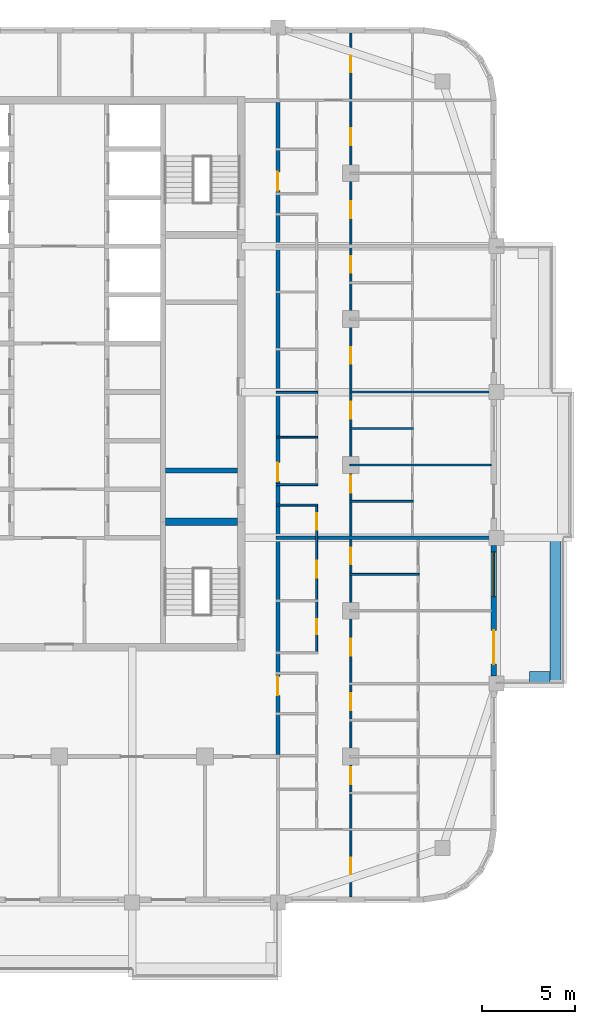
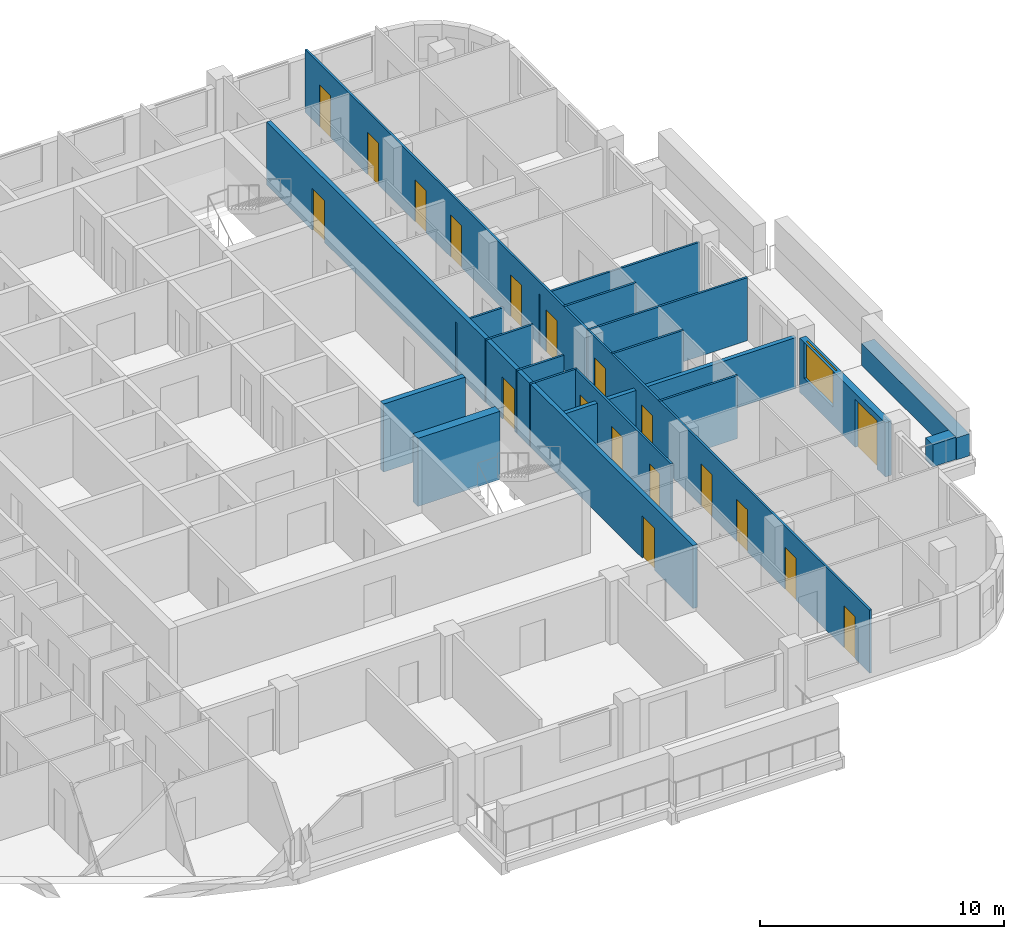
# One storey, part 7 of 16: 19 doors, 18 walls, 1 window, 20 openings.
"""IFC4 building model written with IfcOpenShell, lengths in metres."""

from ifc_helpers import new_model, si_unit, direction, frame, frame_2d, origin, place, context, subcontext, project, spatial, rectangle, extrude, material, layer, layer_set, type_object, element, fill, save


model = new_model("IFC4")

# Units and contexts
model_context = context("Model", 3, precision=1e-05, world=origin(), true_north=direction((0.0, 1.0)))
body_context = subcontext(model_context, "Body", "Model", "MODEL_VIEW")
ifc_project = project(units=[si_unit("LENGTHUNIT", "METRE"), si_unit("AREAUNIT", "SQUARE_METRE"), si_unit("VOLUMEUNIT", "CUBIC_METRE"), si_unit("PLANEANGLEUNIT", "RADIAN"), si_unit("MASSUNIT", "GRAM", prefix="KILO")], contexts=[model_context])

# Site, building, storey
site_placement = place(None, origin())
site = spatial("IfcSite", under=ifc_project, at=site_placement, CompositionType="ELEMENT")
building_placement = place(site_placement, origin())
building = spatial("IfcBuilding", under=site, at=building_placement, Name="Ludao Terraces", CompositionType="ELEMENT")
storey_placement = place(building_placement, frame((0.0, 0.0, 234.699951171875)))
storey = spatial("IfcBuildingStorey", under=building, at=storey_placement, Name="L64", CompositionType="ELEMENT", Elevation=234.699951171875)

# Walls
ifc_material_1 = material(Name="Concrete C40", Category="concrete")
ifc_layer_1 = layer(ifc_material_1, 0.60009765625)
ifc_layer_set_1 = layer_set([ifc_layer_1], Name="ENV Planter trough 600")
wall_type_1 = type_object("IfcWallType", Name="ENV Planter trough 600", PredefinedType="USERDEFINED", material=ifc_layer_set_1)
wall_1_placement = place(storey_placement, frame((111.550048828125, 53.300048828125, 0.0), z_axis=(0.0, 0.0, 1.0), x_axis=(0.0, 1.0, 0.0)))
element("IfcWall", 1, at=wall_1_placement, inside=storey, type_object=wall_type_1, Name="PL-L64-E1", ObjectType="PLANTER", PredefinedType="USERDEFINED", context=body_context, shape_type="SweptSolid", body=[
    extrude(rectangle(XDim=7.800048828125, YDim=0.60009765625, at=frame_2d((3.89990234375, 0.0))), origin(), (0.0, 0.0, 1.0), 1.10009765625),
])
wall_2_placement = place(storey_placement, frame((111.25, 53.64990234375, 0.0), z_axis=(0.0, 0.0, 1.0), x_axis=(-1.0, 0.0, 0.0)))
element("IfcWall", 2, at=wall_2_placement, inside=storey, type_object=wall_type_1, Name="PL-L64-E1-SA", ObjectType="PLANTER", PredefinedType="USERDEFINED", context=body_context, shape_type="SweptSolid", body=[
    extrude(rectangle(XDim=1.10009765625, YDim=0.60009765625, at=frame_2d((0.550048828125, 0.0))), origin(), (0.0, 0.0, 1.0), 1.10009765625),
])

# Wall, openings, door, window
ifc_material_2 = material(Name="Granite cladding", Category="masonry")
ifc_layer_2 = layer(ifc_material_2, 0.0400390625, Category="stone")
ifc_material_3 = material(Name="Mineral wool")
ifc_layer_3 = layer(ifc_material_3, 0.06005859375)
ifc_layer_4 = layer(ifc_material_1, 0.199951171875, Category="concrete")
ifc_layer_set_2 = layer_set([ifc_layer_2, ifc_layer_3, ifc_layer_4], Name="ENV Stone-clad wall 300")
wall_type_2 = type_object("IfcWallType", Name="ENV Stone-clad wall 300", PredefinedType="SOLIDWALL", material=ifc_layer_set_2)
wall_3_placement = place(storey_placement, frame((108.25, 53.699951171875, 0.0), z_axis=(0.0, 0.0, 1.0), x_axis=(0.0, 1.0, 0.0)))
wall_3 = element("IfcWall", 3, at=wall_3_placement, inside=storey, type_object=wall_type_2, Name="EW-L64-E2", PredefinedType="SOLIDWALL", context=body_context, shape_type="SweptSolid", body=[
    extrude(rectangle(XDim=7.0, YDim=0.300048828125, at=frame_2d((3.5, 0.0))), origin(), (0.0, 0.0, 1.0), 2.699951171875),
])
opening_1_placement = place(wall_3_placement, frame((0.64990234375, 0.0, 0.0)))
opening_1 = element("IfcOpeningElement", 4, at=opening_1_placement, cuts=wall_3, Name="Opening BD", PredefinedType="OPENING", context=body_context, shape_type="SweptSolid", body=[
    extrude(rectangle(XDim=1.800048828125, YDim=2.39990234375, at=frame_2d((0.89990234375, 1.199951171875))), frame((0.0, 0.16015625, 0.0), z_axis=(0.0, -1.0, 0.0), x_axis=(1.0, 0.0, 0.0)), (0.0, 0.0, 1.0), 0.320068359375),
])
opening_2_placement = place(wall_3_placement, frame((4.25, 0.0, 0.89990234375)))
opening_2 = element("IfcOpeningElement", 5, at=opening_2_placement, cuts=wall_3, Name="Opening W1", PredefinedType="OPENING", context=body_context, shape_type="SweptSolid", body=[
    extrude(rectangle(XDim=2.39990234375, YDim=1.800048828125, at=frame_2d((1.199951171875, 0.89990234375))), frame((0.0, 0.16015625, 0.0), z_axis=(0.0, -1.0, 0.0), x_axis=(1.0, 0.0, 0.0)), (0.0, 0.0, 1.0), 0.320068359375),
])
ifc_material_4 = material(Name="Aluminium glazed door", Category="aluminium")
ifc_layer_5 = layer(ifc_material_4, 0.06005859375)
ifc_layer_set_3 = layer_set([ifc_layer_5], Name="ENV Balcony door BD 1800x2400")
door_type_1 = type_object("IfcDoorType", Name="ENV Balcony door BD 1800x2400", OperationType="DOUBLE_DOOR_SINGLE_SWING", PredefinedType="DOOR", material=ifc_layer_set_3)
door_1_placement = place(opening_1_placement, origin())
door_1 = element("IfcDoor", 6, at=door_1_placement, inside=storey, type_object=door_type_1, Name="BD-L64-E2-1", OperationType="DOUBLE_DOOR_SINGLE_SWING", OverallHeight=2.39990234375, OverallWidth=1.800048828125, PredefinedType="DOOR", context=body_context, shape_type="SweptSolid", body=[
    extrude(rectangle(XDim=1.800048828125, YDim=2.39990234375, at=frame_2d((0.89990234375, 1.199951171875))), frame((0.0, 0.02490234375, 0.0), z_axis=(0.0, -1.0, 0.0), x_axis=(1.0, 0.0, 0.0)), (0.0, 0.0, 1.0), 0.050048828125),
])
fill(opening_1, door_1)
ifc_material_5 = material(Name="Clear glass in aluminium frame", Category="aluminium")
ifc_layer_6 = layer(ifc_material_5, 0.06005859375)
ifc_layer_set_4 = layer_set([ifc_layer_6], Name="ENV Window W1 2400x1800")
window_type = type_object("IfcWindowType", Name="ENV Window W1 2400x1800", PartitioningType="DOUBLE_PANEL_VERTICAL", PredefinedType="WINDOW", material=ifc_layer_set_4)
window_placement = place(opening_2_placement, origin())
window = element("IfcWindow", 7, at=window_placement, inside=storey, type_object=window_type, Name="W-L64-E2-2", OverallHeight=1.800048828125, OverallWidth=2.39990234375, PartitioningType="DOUBLE_PANEL_VERTICAL", PredefinedType="WINDOW", context=body_context, shape_type="SweptSolid", body=[
    extrude(rectangle(XDim=2.39990234375, YDim=1.800048828125, at=frame_2d((1.199951171875, 0.89990234375))), frame((0.0, 0.030029296875, 0.0), z_axis=(0.0, -1.0, 0.0), x_axis=(1.0, 0.0, 0.0)), (0.0, 0.0, 1.0), 0.06005859375),
])
fill(opening_2, window)

# Wall, openings, doors
ifc_material_6 = material(Name="Autoclaved aerated concrete block B06 A3.5", Category="concrete")
ifc_layer_7 = layer(ifc_material_6, 0.199951171875)
ifc_layer_set_5 = layer_set([ifc_layer_7], Name="INT Entrance wall 200")
wall_type_3 = type_object("IfcWallType", Name="INT Entrance wall 200", PredefinedType="PARTITIONING", material=ifc_layer_set_5)
wall_4_placement = place(storey_placement, frame((96.699951171875, 49.5, 0.0), z_axis=(0.0, 0.0, 1.0), x_axis=(0.0, 1.0, 0.0)))
wall_4 = element("IfcWall", 8, at=wall_4_placement, inside=storey, type_object=wall_type_3, Name="PW-L64-PW093", PredefinedType="PARTITIONING", context=body_context, shape_type="SweptSolid", body=[
    extrude(rectangle(XDim=34.900146484375, YDim=0.199951171875, at=frame_2d((17.4501953125, 0.0))), origin(), (0.0, 0.0, 1.0), 3.150146484375),
])
opening_3_placement = place(wall_4_placement, frame((3.175048828125, 0.0, 0.0)))
opening_3 = element("IfcOpeningElement", 9, at=opening_3_placement, cuts=wall_4, Name="Opening R23-031", PredefinedType="OPENING", context=body_context, shape_type="SweptSolid", body=[
    extrude(rectangle(XDim=1.0, YDim=2.10009765625, at=frame_2d((0.5, 1.050048828125))), frame((0.0, 0.10986328125, 0.0), z_axis=(0.0, -1.0, 0.0), x_axis=(1.0, 0.0, 0.0)), (0.0, 0.0, 1.0), 0.219970703125),
])
opening_4_placement = place(wall_4_placement, frame((14.625, 0.0, 0.0)))
opening_4 = element("IfcOpeningElement", 10, at=opening_4_placement, cuts=wall_4, Name="Opening R23-066", PredefinedType="OPENING", context=body_context, shape_type="SweptSolid", body=[
    extrude(rectangle(XDim=1.0, YDim=2.10009765625, at=frame_2d((0.5, 1.050048828125))), frame((0.0, 0.10986328125, 0.0), z_axis=(0.0, -1.0, 0.0), x_axis=(1.0, 0.0, 0.0)), (0.0, 0.0, 1.0), 0.219970703125),
])
opening_5_placement = place(wall_4_placement, frame((30.175048828125, 0.0, 0.0)))
opening_5 = element("IfcOpeningElement", 11, at=opening_5_placement, cuts=wall_4, Name="Opening R23-119", PredefinedType="OPENING", context=body_context, shape_type="SweptSolid", body=[
    extrude(rectangle(XDim=1.0, YDim=2.10009765625, at=frame_2d((0.5, 1.050048828125))), frame((0.0, 0.10986328125, 0.0), z_axis=(0.0, -1.0, 0.0), x_axis=(1.0, 0.0, 0.0)), (0.0, 0.0, 1.0), 0.219970703125),
])
ifc_material_7 = material(Name="Steel Q235", Category="steel")
door_type_2 = type_object("IfcDoorType", Name="INT Flat entrance door 1000", OperationType="SINGLE_SWING_LEFT", PredefinedType="DOOR", material=ifc_material_7)
door_2_placement = place(opening_3_placement, origin())
door_2 = element("IfcDoor", 12, at=door_2_placement, inside=storey, type_object=door_type_2, Name="DOOR 031", OperationType="SINGLE_SWING_RIGHT", OverallHeight=2.10009765625, OverallWidth=1.0, PredefinedType="DOOR", context=body_context, shape_type="SweptSolid", body=[
    extrude(rectangle(XDim=1.0, YDim=2.10009765625, at=frame_2d((0.5, 1.050048828125))), frame((0.0, 0.02490234375, 0.0), z_axis=(0.0, -1.0, 0.0), x_axis=(1.0, 0.0, 0.0)), (0.0, 0.0, 1.0), 0.050048828125),
])
fill(opening_3, door_2)
door_3_placement = place(opening_4_placement, origin())
door_3 = element("IfcDoor", 13, at=door_3_placement, inside=storey, type_object=door_type_2, Name="DOOR 066", OperationType="SINGLE_SWING_LEFT", OverallHeight=2.10009765625, OverallWidth=1.0, PredefinedType="DOOR", context=body_context, shape_type="SweptSolid", body=[
    extrude(rectangle(XDim=1.0, YDim=2.10009765625, at=frame_2d((0.5, 1.050048828125))), frame((0.0, 0.02490234375, 0.0), z_axis=(0.0, -1.0, 0.0), x_axis=(1.0, 0.0, 0.0)), (0.0, 0.0, 1.0), 0.050048828125),
])
fill(opening_4, door_3)
door_4_placement = place(opening_5_placement, origin())
door_4 = element("IfcDoor", 14, at=door_4_placement, inside=storey, type_object=door_type_2, Name="DOOR 119", OperationType="SINGLE_SWING_LEFT", OverallHeight=2.10009765625, OverallWidth=1.0, PredefinedType="DOOR", context=body_context, shape_type="SweptSolid", body=[
    extrude(rectangle(XDim=1.0, YDim=2.10009765625, at=frame_2d((0.5, 1.050048828125))), frame((0.0, 0.02490234375, 0.0), z_axis=(0.0, -1.0, 0.0), x_axis=(1.0, 0.0, 0.0)), (0.0, 0.0, 1.0), 0.050048828125),
])
fill(opening_5, door_4)

# Walls
ifc_material_8 = material(Name="Gypsum plasterboard", Category="gypsum")
ifc_layer_8 = layer(ifc_material_8, 0.012451171875, Category="gypsum")
ifc_layer_9 = layer(ifc_material_3, 0.06005859375, Name="insulation")
ifc_layer_10 = layer(ifc_material_7, 0.014892578125, Name="stud")
ifc_layer_11 = layer(ifc_material_8, 0.012451171875, Category="gypsum")
ifc_layer_set_6 = layer_set([ifc_layer_8, ifc_layer_9, ifc_layer_10, ifc_layer_11], Name="INT Partition 100")
wall_type_4 = type_object("IfcWallType", Name="INT Partition 100", PredefinedType="PARTITIONING", material=ifc_layer_set_6)
wall_5_placement = place(storey_placement, frame((100.550048828125, 59.14990234375, 0.0), z_axis=(0.0, 0.0, 1.0), x_axis=(1.0, 0.0, 0.0)))
element("IfcWall", 15, at=wall_5_placement, inside=storey, type_object=wall_type_4, Name="PW-L64-PW026", PredefinedType="PARTITIONING", context=body_context, shape_type="SweptSolid", body=[
    extrude(rectangle(XDim=3.699951171875, YDim=0.10009765625, at=frame_2d((1.85009765625, 0.0))), origin(), (0.0, 0.0, 1.0), 3.150146484375),
])
wall_6_placement = place(storey_placement, frame((96.60009765625, 62.85009765625, 0.0), z_axis=(0.0, 0.0, 1.0), x_axis=(1.0, 0.0, 0.0)))
element("IfcWall", 16, at=wall_6_placement, inside=storey, type_object=wall_type_4, Name="PW-L64-PW031", PredefinedType="PARTITIONING", context=body_context, shape_type="SweptSolid", body=[
    extrude(rectangle(XDim=2.219970703125, YDim=0.10009765625, at=frame_2d((1.10986328125, 0.0))), origin(), (0.0, 0.0, 1.0), 3.150146484375),
])
wall_7_placement = place(storey_placement, frame((100.550048828125, 63.050048828125, 0.0), z_axis=(0.0, 0.0, 1.0), x_axis=(1.0, 0.0, 0.0)))
element("IfcWall", 17, at=wall_7_placement, inside=storey, type_object=wall_type_4, Name="PW-L64-PW033", PredefinedType="PARTITIONING", context=body_context, shape_type="SweptSolid", body=[
    extrude(rectangle(XDim=3.400146484375, YDim=0.10009765625, at=frame_2d((1.7001953125, 0.0))), origin(), (0.0, 0.0, 1.0), 3.150146484375),
])
wall_8_placement = place(storey_placement, frame((96.60009765625, 63.949951171875, 0.0), z_axis=(0.0, 0.0, 1.0), x_axis=(1.0, 0.0, 0.0)))
element("IfcWall", 18, at=wall_8_placement, inside=storey, type_object=wall_type_4, Name="PW-L64-PW036", PredefinedType="PARTITIONING", context=body_context, shape_type="SweptSolid", body=[
    extrude(rectangle(XDim=2.219970703125, YDim=0.10009765625, at=frame_2d((1.10986328125, 0.0))), origin(), (0.0, 0.0, 1.0), 3.150146484375),
])
wall_9_placement = place(storey_placement, frame((100.550048828125, 65.0, 0.0), z_axis=(0.0, 0.0, 1.0), x_axis=(1.0, 0.0, 0.0)))
element("IfcWall", 19, at=wall_9_placement, inside=storey, type_object=wall_type_4, Name="PW-L64-PW038", PredefinedType="PARTITIONING", context=body_context, shape_type="SweptSolid", body=[
    extrude(rectangle(XDim=7.550048828125, YDim=0.10009765625, at=frame_2d((3.77490234375, 0.0))), origin(), (0.0, 0.0, 1.0), 3.150146484375),
])
wall_10_placement = place(storey_placement, frame((96.60009765625, 66.47998046875, 0.0), z_axis=(0.0, 0.0, 1.0), x_axis=(1.0, 0.0, 0.0)))
element("IfcWall", 20, at=wall_10_placement, inside=storey, type_object=wall_type_4, Name="PW-L64-PW040", PredefinedType="PARTITIONING", context=body_context, shape_type="SweptSolid", body=[
    extrude(rectangle(XDim=2.219970703125, YDim=0.10009765625, at=frame_2d((1.10986328125, 0.0))), origin(), (0.0, 0.0, 1.0), 3.150146484375),
])
wall_11_placement = place(storey_placement, frame((100.550048828125, 66.949951171875, 0.0), z_axis=(0.0, 0.0, 1.0), x_axis=(1.0, 0.0, 0.0)))
element("IfcWall", 21, at=wall_11_placement, inside=storey, type_object=wall_type_4, Name="PW-L64-PW042", PredefinedType="PARTITIONING", context=body_context, shape_type="SweptSolid", body=[
    extrude(rectangle(XDim=3.400146484375, YDim=0.10009765625, at=frame_2d((1.7001953125, 0.0))), origin(), (0.0, 0.0, 1.0), 3.150146484375),
])
wall_12_placement = place(storey_placement, frame((96.60009765625, 68.8798828125, 0.0), z_axis=(0.0, 0.0, 1.0), x_axis=(1.0, 0.0, 0.0)))
element("IfcWall", 22, at=wall_12_placement, inside=storey, type_object=wall_type_4, Name="PW-L64-PW044", PredefinedType="PARTITIONING", context=body_context, shape_type="SweptSolid", body=[
    extrude(rectangle(XDim=2.219970703125, YDim=0.10009765625, at=frame_2d((1.10986328125, 0.0))), origin(), (0.0, 0.0, 1.0), 2.550048828125),
])
wall_13_placement = place(storey_placement, frame((100.550048828125, 68.89990234375, 0.0), z_axis=(0.0, 0.0, 1.0), x_axis=(1.0, 0.0, 0.0)))
element("IfcWall", 23, at=wall_13_placement, inside=storey, type_object=wall_type_4, Name="PW-L64-PW046", PredefinedType="PARTITIONING", context=body_context, shape_type="SweptSolid", body=[
    extrude(rectangle(XDim=7.550048828125, YDim=0.10009765625, at=frame_2d((3.77490234375, 0.0))), origin(), (0.0, 0.0, 1.0), 2.550048828125),
])

# Wall, openings, doors
wall_14_placement = place(storey_placement, frame((98.77001953125, 55.0, 0.0), z_axis=(0.0, 0.0, 1.0), x_axis=(0.0, 1.0, 0.0)))
wall_14 = element("IfcWall", 24, at=wall_14_placement, inside=storey, type_object=wall_type_4, Name="PW-L64-PW096", PredefinedType="PARTITIONING", context=body_context, shape_type="SweptSolid", body=[
    extrude(rectangle(XDim=7.800048828125, YDim=0.10009765625, at=frame_2d((3.89990234375, 0.0))), origin(), (0.0, 0.0, 1.0), 3.150146484375),
])
opening_6_placement = place(wall_14_placement, frame((0.940185546875, 0.0, 0.0)))
opening_6 = element("IfcOpeningElement", 25, at=opening_6_placement, cuts=wall_14, Name="Opening R23-039", PredefinedType="OPENING", context=body_context, shape_type="SweptSolid", body=[
    extrude(rectangle(XDim=0.800048828125, YDim=2.10009765625, at=frame_2d((0.39990234375, 1.050048828125))), frame((0.0, 0.06005859375, 0.0), z_axis=(0.0, -1.0, 0.0), x_axis=(1.0, 0.0, 0.0)), (0.0, 0.0, 1.0), 0.1201171875),
])
opening_7_placement = place(wall_14_placement, frame((3.965087890625, 0.0, 0.0)))
opening_7 = element("IfcOpeningElement", 26, at=opening_7_placement, cuts=wall_14, Name="Opening R23-045", PredefinedType="OPENING", context=body_context, shape_type="SweptSolid", body=[
    extrude(rectangle(XDim=0.89990234375, YDim=2.10009765625, at=frame_2d((0.449951171875, 1.050048828125))), frame((0.0, 0.06005859375, 0.0), z_axis=(0.0, -1.0, 0.0), x_axis=(1.0, 0.0, 0.0)), (0.0, 0.0, 1.0), 0.1201171875),
])
opening_8_placement = place(wall_14_placement, frame((6.525146484375, 0.0, 0.0)))
opening_8 = element("IfcOpeningElement", 27, at=opening_8_placement, cuts=wall_14, Name="Opening R23-053", PredefinedType="OPENING", context=body_context, shape_type="SweptSolid", body=[
    extrude(rectangle(XDim=0.89990234375, YDim=2.10009765625, at=frame_2d((0.449951171875, 1.050048828125))), frame((0.0, 0.06005859375, 0.0), z_axis=(0.0, -1.0, 0.0), x_axis=(1.0, 0.0, 0.0)), (0.0, 0.0, 1.0), 0.1201171875),
])
ifc_material_9 = material(Name="Timber door leaf", Category="wood")
door_type_3 = type_object("IfcDoorType", Name="INT Bathroom door 900", OperationType="SINGLE_SWING_LEFT", PredefinedType="DOOR", material=ifc_material_9)
door_5_placement = place(opening_8_placement, origin())
door_5 = element("IfcDoor", 28, at=door_5_placement, inside=storey, type_object=door_type_3, Name="DOOR 053", OperationType="SINGLE_SWING_LEFT", OverallHeight=2.10009765625, OverallWidth=0.89990234375, PredefinedType="DOOR", context=body_context, shape_type="SweptSolid", body=[
    extrude(rectangle(XDim=0.89990234375, YDim=2.10009765625, at=frame_2d((0.449951171875, 1.050048828125))), frame((0.0, 0.02490234375, 0.0), z_axis=(0.0, -1.0, 0.0), x_axis=(1.0, 0.0, 0.0)), (0.0, 0.0, 1.0), 0.050048828125),
])
fill(opening_8, door_5)
door_type_4 = type_object("IfcDoorType", Name="INT Room door 900", OperationType="SINGLE_SWING_LEFT", PredefinedType="DOOR", material=ifc_material_9)
door_6_placement = place(opening_7_placement, origin())
door_6 = element("IfcDoor", 29, at=door_6_placement, inside=storey, type_object=door_type_4, Name="DOOR 045", OperationType="SINGLE_SWING_RIGHT", OverallHeight=2.10009765625, OverallWidth=0.89990234375, PredefinedType="DOOR", context=body_context, shape_type="SweptSolid", body=[
    extrude(rectangle(XDim=0.89990234375, YDim=2.10009765625, at=frame_2d((0.449951171875, 1.050048828125))), frame((0.0, 0.02490234375, 0.0), z_axis=(0.0, -1.0, 0.0), x_axis=(1.0, 0.0, 0.0)), (0.0, 0.0, 1.0), 0.050048828125),
])
fill(opening_7, door_6)
door_type_5 = type_object("IfcDoorType", Name="INT Store door 800", OperationType="SINGLE_SWING_LEFT", PredefinedType="DOOR", material=ifc_material_9)
door_7_placement = place(opening_6_placement, origin())
door_7 = element("IfcDoor", 30, at=door_7_placement, inside=storey, type_object=door_type_5, Name="DOOR 039", OperationType="SINGLE_SWING_LEFT", OverallHeight=2.10009765625, OverallWidth=0.800048828125, PredefinedType="DOOR", context=body_context, shape_type="SweptSolid", body=[
    extrude(rectangle(XDim=0.800048828125, YDim=2.10009765625, at=frame_2d((0.39990234375, 1.050048828125))), frame((0.0, 0.02490234375, 0.0), z_axis=(0.0, -1.0, 0.0), x_axis=(1.0, 0.0, 0.0)), (0.0, 0.0, 1.0), 0.050048828125),
])
fill(opening_6, door_7)

wall_15_placement = place(storey_placement, frame((100.60009765625, 41.900146484375, 0.0), z_axis=(0.0, 0.0, 1.0), x_axis=(0.0, 1.0, 0.0)))
wall_15 = element("IfcWall", 31, at=wall_15_placement, inside=storey, type_object=wall_type_4, Name="PW-L64-PW099", PredefinedType="PARTITIONING", context=body_context, shape_type="SweptSolid", body=[
    extrude(rectangle(XDim=46.199951171875, YDim=0.10009765625, at=frame_2d((23.10009765625, 0.0))), origin(), (0.0, 0.0, 1.0), 3.150146484375),
])
opening_9_placement = place(wall_15_placement, frame((1.199951171875, 0.0, 0.0)))
opening_9 = element("IfcOpeningElement", 32, at=opening_9_placement, cuts=wall_15, Name="Opening R23-003", PredefinedType="OPENING", context=body_context, shape_type="SweptSolid", body=[
    extrude(rectangle(XDim=0.89990234375, YDim=2.10009765625, at=frame_2d((0.449951171875, 1.050048828125))), frame((0.0, 0.06005859375, 0.0), z_axis=(0.0, -1.0, 0.0), x_axis=(1.0, 0.0, 0.0)), (0.0, 0.0, 1.0), 0.1201171875),
])
opening_10_placement = place(wall_15_placement, frame((6.02490234375, 0.0, 0.0)))
opening_10 = element("IfcOpeningElement", 33, at=opening_10_placement, cuts=wall_15, Name="Opening R23-012", PredefinedType="OPENING", context=body_context, shape_type="SweptSolid", body=[
    extrude(rectangle(XDim=0.89990234375, YDim=2.10009765625, at=frame_2d((0.449951171875, 1.050048828125))), frame((0.0, 0.06005859375, 0.0), z_axis=(0.0, -1.0, 0.0), x_axis=(1.0, 0.0, 0.0)), (0.0, 0.0, 1.0), 0.1201171875),
])
opening_11_placement = place(wall_15_placement, frame((9.97509765625, 0.0, 0.0)))
opening_11 = element("IfcOpeningElement", 34, at=opening_11_placement, cuts=wall_15, Name="Opening R23-026", PredefinedType="OPENING", context=body_context, shape_type="SweptSolid", body=[
    extrude(rectangle(XDim=0.89990234375, YDim=2.10009765625, at=frame_2d((0.449951171875, 1.050048828125))), frame((0.0, 0.06005859375, 0.0), z_axis=(0.0, -1.0, 0.0), x_axis=(1.0, 0.0, 0.0)), (0.0, 0.0, 1.0), 0.1201171875),
])
opening_12_placement = place(wall_15_placement, frame((12.89990234375, 0.0, 0.0)))
opening_12 = element("IfcOpeningElement", 35, at=opening_12_placement, cuts=wall_15, Name="Opening R23-035", PredefinedType="OPENING", context=body_context, shape_type="SweptSolid", body=[
    extrude(rectangle(XDim=0.89990234375, YDim=2.10009765625, at=frame_2d((0.449951171875, 1.050048828125))), frame((0.0, 0.06005859375, 0.0), z_axis=(0.0, -1.0, 0.0), x_axis=(1.0, 0.0, 0.0)), (0.0, 0.0, 1.0), 0.1201171875),
])
opening_13_placement = place(wall_15_placement, frame((17.77490234375, 0.0, 0.0)))
opening_13 = element("IfcOpeningElement", 36, at=opening_13_placement, cuts=wall_15, Name="Opening R23-049", PredefinedType="OPENING", context=body_context, shape_type="SweptSolid", body=[
    extrude(rectangle(XDim=0.89990234375, YDim=2.10009765625, at=frame_2d((0.449951171875, 1.050048828125))), frame((0.0, 0.06005859375, 0.0), z_axis=(0.0, -1.0, 0.0), x_axis=(1.0, 0.0, 0.0)), (0.0, 0.0, 1.0), 0.1201171875),
])
opening_14_placement = place(wall_15_placement, frame((21.625, 0.0, 0.0)))
opening_14 = element("IfcOpeningElement", 37, at=opening_14_placement, cuts=wall_15, Name="Opening R23-062", PredefinedType="OPENING", context=body_context, shape_type="SweptSolid", body=[
    extrude(rectangle(XDim=0.89990234375, YDim=2.10009765625, at=frame_2d((0.449951171875, 1.050048828125))), frame((0.0, 0.06005859375, 0.0), z_axis=(0.0, -1.0, 0.0), x_axis=(1.0, 0.0, 0.0)), (0.0, 0.0, 1.0), 0.1201171875),
])
opening_15_placement = place(wall_15_placement, frame((25.574951171875, 0.0, 0.0)))
opening_15 = element("IfcOpeningElement", 38, at=opening_15_placement, cuts=wall_15, Name="Opening R23-080", PredefinedType="OPENING", context=body_context, shape_type="SweptSolid", body=[
    extrude(rectangle(XDim=0.89990234375, YDim=2.10009765625, at=frame_2d((0.449951171875, 1.050048828125))), frame((0.0, 0.06005859375, 0.0), z_axis=(0.0, -1.0, 0.0), x_axis=(1.0, 0.0, 0.0)), (0.0, 0.0, 1.0), 0.1201171875),
])
opening_16_placement = place(wall_15_placement, frame((28.5, 0.0, 0.0)))
opening_16 = element("IfcOpeningElement", 39, at=opening_16_placement, cuts=wall_15, Name="Opening R23-089", PredefinedType="OPENING", context=body_context, shape_type="SweptSolid", body=[
    extrude(rectangle(XDim=0.89990234375, YDim=2.10009765625, at=frame_2d((0.449951171875, 1.050048828125))), frame((0.0, 0.06005859375, 0.0), z_axis=(0.0, -1.0, 0.0), x_axis=(1.0, 0.0, 0.0)), (0.0, 0.0, 1.0), 0.1201171875),
])
opening_17_placement = place(wall_15_placement, frame((33.375, 0.0, 0.0)))
opening_17 = element("IfcOpeningElement", 40, at=opening_17_placement, cuts=wall_15, Name="Opening R23-106", PredefinedType="OPENING", context=body_context, shape_type="SweptSolid", body=[
    extrude(rectangle(XDim=0.89990234375, YDim=2.10009765625, at=frame_2d((0.449951171875, 1.050048828125))), frame((0.0, 0.06005859375, 0.0), z_axis=(0.0, -1.0, 0.0), x_axis=(1.0, 0.0, 0.0)), (0.0, 0.0, 1.0), 0.1201171875),
])
opening_18_placement = place(wall_15_placement, frame((36.300048828125, 0.0, 0.0)))
opening_18 = element("IfcOpeningElement", 41, at=opening_18_placement, cuts=wall_15, Name="Opening R23-117", PredefinedType="OPENING", context=body_context, shape_type="SweptSolid", body=[
    extrude(rectangle(XDim=0.89990234375, YDim=2.10009765625, at=frame_2d((0.449951171875, 1.050048828125))), frame((0.0, 0.06005859375, 0.0), z_axis=(0.0, -1.0, 0.0), x_axis=(1.0, 0.0, 0.0)), (0.0, 0.0, 1.0), 0.1201171875),
])
opening_19_placement = place(wall_15_placement, frame((40.199951171875, 0.0, 0.0)))
opening_19 = element("IfcOpeningElement", 42, at=opening_19_placement, cuts=wall_15, Name="Opening R23-126", PredefinedType="OPENING", context=body_context, shape_type="SweptSolid", body=[
    extrude(rectangle(XDim=0.89990234375, YDim=2.10009765625, at=frame_2d((0.449951171875, 1.050048828125))), frame((0.0, 0.06005859375, 0.0), z_axis=(0.0, -1.0, 0.0), x_axis=(1.0, 0.0, 0.0)), (0.0, 0.0, 1.0), 0.1201171875),
])
opening_20_placement = place(wall_15_placement, frame((44.10009765625, 0.0, 0.0)))
opening_20 = element("IfcOpeningElement", 43, at=opening_20_placement, cuts=wall_15, Name="Opening R23-143", PredefinedType="OPENING", context=body_context, shape_type="SweptSolid", body=[
    extrude(rectangle(XDim=0.89990234375, YDim=2.10009765625, at=frame_2d((0.449951171875, 1.050048828125))), frame((0.0, 0.06005859375, 0.0), z_axis=(0.0, -1.0, 0.0), x_axis=(1.0, 0.0, 0.0)), (0.0, 0.0, 1.0), 0.1201171875),
])
door_8_placement = place(opening_9_placement, origin())
door_8 = element("IfcDoor", 44, at=door_8_placement, inside=storey, type_object=door_type_4, Name="DOOR 003", OperationType="SINGLE_SWING_RIGHT", OverallHeight=2.10009765625, OverallWidth=0.89990234375, PredefinedType="DOOR", context=body_context, shape_type="SweptSolid", body=[
    extrude(rectangle(XDim=0.89990234375, YDim=2.10009765625, at=frame_2d((0.449951171875, 1.050048828125))), frame((0.0, 0.02490234375, 0.0), z_axis=(0.0, -1.0, 0.0), x_axis=(1.0, 0.0, 0.0)), (0.0, 0.0, 1.0), 0.050048828125),
])
fill(opening_9, door_8)
door_9_placement = place(opening_10_placement, origin())
door_9 = element("IfcDoor", 45, at=door_9_placement, inside=storey, type_object=door_type_4, Name="DOOR 012", OperationType="SINGLE_SWING_RIGHT", OverallHeight=2.10009765625, OverallWidth=0.89990234375, PredefinedType="DOOR", context=body_context, shape_type="SweptSolid", body=[
    extrude(rectangle(XDim=0.89990234375, YDim=2.10009765625, at=frame_2d((0.449951171875, 1.050048828125))), frame((0.0, 0.02490234375, 0.0), z_axis=(0.0, -1.0, 0.0), x_axis=(1.0, 0.0, 0.0)), (0.0, 0.0, 1.0), 0.050048828125),
])
fill(opening_10, door_9)
door_10_placement = place(opening_11_placement, origin())
door_10 = element("IfcDoor", 46, at=door_10_placement, inside=storey, type_object=door_type_4, Name="DOOR 026", OperationType="SINGLE_SWING_LEFT", OverallHeight=2.10009765625, OverallWidth=0.89990234375, PredefinedType="DOOR", context=body_context, shape_type="SweptSolid", body=[
    extrude(rectangle(XDim=0.89990234375, YDim=2.10009765625, at=frame_2d((0.449951171875, 1.050048828125))), frame((0.0, 0.02490234375, 0.0), z_axis=(0.0, -1.0, 0.0), x_axis=(1.0, 0.0, 0.0)), (0.0, 0.0, 1.0), 0.050048828125),
])
fill(opening_11, door_10)
door_11_placement = place(opening_12_placement, origin())
door_11 = element("IfcDoor", 47, at=door_11_placement, inside=storey, type_object=door_type_4, Name="DOOR 035", OperationType="SINGLE_SWING_RIGHT", OverallHeight=2.10009765625, OverallWidth=0.89990234375, PredefinedType="DOOR", context=body_context, shape_type="SweptSolid", body=[
    extrude(rectangle(XDim=0.89990234375, YDim=2.10009765625, at=frame_2d((0.449951171875, 1.050048828125))), frame((0.0, 0.02490234375, 0.0), z_axis=(0.0, -1.0, 0.0), x_axis=(1.0, 0.0, 0.0)), (0.0, 0.0, 1.0), 0.050048828125),
])
fill(opening_12, door_11)
door_12_placement = place(opening_13_placement, origin())
door_12 = element("IfcDoor", 48, at=door_12_placement, inside=storey, type_object=door_type_4, Name="DOOR 049", OperationType="SINGLE_SWING_RIGHT", OverallHeight=2.10009765625, OverallWidth=0.89990234375, PredefinedType="DOOR", context=body_context, shape_type="SweptSolid", body=[
    extrude(rectangle(XDim=0.89990234375, YDim=2.10009765625, at=frame_2d((0.449951171875, 1.050048828125))), frame((0.0, 0.02490234375, 0.0), z_axis=(0.0, -1.0, 0.0), x_axis=(1.0, 0.0, 0.0)), (0.0, 0.0, 1.0), 0.050048828125),
])
fill(opening_13, door_12)
door_13_placement = place(opening_14_placement, origin())
door_13 = element("IfcDoor", 49, at=door_13_placement, inside=storey, type_object=door_type_4, Name="DOOR 062", OperationType="SINGLE_SWING_RIGHT", OverallHeight=2.10009765625, OverallWidth=0.89990234375, PredefinedType="DOOR", context=body_context, shape_type="SweptSolid", body=[
    extrude(rectangle(XDim=0.89990234375, YDim=2.10009765625, at=frame_2d((0.449951171875, 1.050048828125))), frame((0.0, 0.02490234375, 0.0), z_axis=(0.0, -1.0, 0.0), x_axis=(1.0, 0.0, 0.0)), (0.0, 0.0, 1.0), 0.050048828125),
])
fill(opening_14, door_13)
door_14_placement = place(opening_15_placement, origin())
door_14 = element("IfcDoor", 50, at=door_14_placement, inside=storey, type_object=door_type_4, Name="DOOR 080", OperationType="SINGLE_SWING_LEFT", OverallHeight=2.10009765625, OverallWidth=0.89990234375, PredefinedType="DOOR", context=body_context, shape_type="SweptSolid", body=[
    extrude(rectangle(XDim=0.89990234375, YDim=2.10009765625, at=frame_2d((0.449951171875, 1.050048828125))), frame((0.0, 0.02490234375, 0.0), z_axis=(0.0, -1.0, 0.0), x_axis=(1.0, 0.0, 0.0)), (0.0, 0.0, 1.0), 0.050048828125),
])
fill(opening_15, door_14)
door_15_placement = place(opening_16_placement, origin())
door_15 = element("IfcDoor", 51, at=door_15_placement, inside=storey, type_object=door_type_4, Name="DOOR 089", OperationType="SINGLE_SWING_LEFT", OverallHeight=2.10009765625, OverallWidth=0.89990234375, PredefinedType="DOOR", context=body_context, shape_type="SweptSolid", body=[
    extrude(rectangle(XDim=0.89990234375, YDim=2.10009765625, at=frame_2d((0.449951171875, 1.050048828125))), frame((0.0, 0.02490234375, 0.0), z_axis=(0.0, -1.0, 0.0), x_axis=(1.0, 0.0, 0.0)), (0.0, 0.0, 1.0), 0.050048828125),
])
fill(opening_16, door_15)
door_16_placement = place(opening_17_placement, origin())
door_16 = element("IfcDoor", 52, at=door_16_placement, inside=storey, type_object=door_type_4, Name="DOOR 106", OperationType="SINGLE_SWING_LEFT", OverallHeight=2.10009765625, OverallWidth=0.89990234375, PredefinedType="DOOR", context=body_context, shape_type="SweptSolid", body=[
    extrude(rectangle(XDim=0.89990234375, YDim=2.10009765625, at=frame_2d((0.449951171875, 1.050048828125))), frame((0.0, 0.02490234375, 0.0), z_axis=(0.0, -1.0, 0.0), x_axis=(1.0, 0.0, 0.0)), (0.0, 0.0, 1.0), 0.050048828125),
])
fill(opening_17, door_16)
door_17_placement = place(opening_18_placement, origin())
door_17 = element("IfcDoor", 53, at=door_17_placement, inside=storey, type_object=door_type_4, Name="DOOR 117", OperationType="SINGLE_SWING_RIGHT", OverallHeight=2.10009765625, OverallWidth=0.89990234375, PredefinedType="DOOR", context=body_context, shape_type="SweptSolid", body=[
    extrude(rectangle(XDim=0.89990234375, YDim=2.10009765625, at=frame_2d((0.449951171875, 1.050048828125))), frame((0.0, 0.02490234375, 0.0), z_axis=(0.0, -1.0, 0.0), x_axis=(1.0, 0.0, 0.0)), (0.0, 0.0, 1.0), 0.050048828125),
])
fill(opening_18, door_17)
door_18_placement = place(opening_19_placement, origin())
door_18 = element("IfcDoor", 54, at=door_18_placement, inside=storey, type_object=door_type_4, Name="DOOR 126", OperationType="SINGLE_SWING_RIGHT", OverallHeight=2.10009765625, OverallWidth=0.89990234375, PredefinedType="DOOR", context=body_context, shape_type="SweptSolid", body=[
    extrude(rectangle(XDim=0.89990234375, YDim=2.10009765625, at=frame_2d((0.449951171875, 1.050048828125))), frame((0.0, 0.02490234375, 0.0), z_axis=(0.0, -1.0, 0.0), x_axis=(1.0, 0.0, 0.0)), (0.0, 0.0, 1.0), 0.050048828125),
])
fill(opening_19, door_18)
door_19_placement = place(opening_20_placement, origin())
door_19 = element("IfcDoor", 55, at=door_19_placement, inside=storey, type_object=door_type_4, Name="DOOR 143", OperationType="SINGLE_SWING_LEFT", OverallHeight=2.10009765625, OverallWidth=0.89990234375, PredefinedType="DOOR", context=body_context, shape_type="SweptSolid", body=[
    extrude(rectangle(XDim=0.89990234375, YDim=2.10009765625, at=frame_2d((0.449951171875, 1.050048828125))), frame((0.0, 0.02490234375, 0.0), z_axis=(0.0, -1.0, 0.0), x_axis=(1.0, 0.0, 0.0)), (0.0, 0.0, 1.0), 0.050048828125),
])
fill(opening_20, door_19)

# Walls
ifc_layer_12 = layer(ifc_material_6, 0.199951171875)
ifc_layer_set_7 = layer_set([ifc_layer_12], Name="INT Party wall 200")
wall_type_5 = type_object("IfcWallType", Name="INT Party wall 200", PredefinedType="PARTITIONING", material=ifc_layer_set_7)
wall_16_placement = place(storey_placement, frame((96.60009765625, 61.10009765625, 0.0), z_axis=(0.0, 0.0, 1.0), x_axis=(1.0, 0.0, 0.0)))
element("IfcWall", 56, at=wall_16_placement, inside=storey, type_object=wall_type_5, Name="PW-L64-PW029", PredefinedType="PARTITIONING", context=body_context, shape_type="SweptSolid", body=[
    extrude(rectangle(XDim=11.5, YDim=0.199951171875, at=frame_2d((5.75, 0.0))), origin(), (0.0, 0.0, 1.0), 2.550048828125),
])
ifc_material_10 = material(Name="Concrete C50", Category="concrete")
ifc_layer_13 = layer(ifc_material_10, 0.25)
ifc_layer_set_8 = layer_set([ifc_layer_13], Name="Shaft wall 250 C50")
wall_type_6 = type_object("IfcWallType", Name="Shaft wall 250 C50", PredefinedType="SOLIDWALL", material=ifc_layer_set_8)
wall_17_placement = place(storey_placement, frame((90.675048828125, 64.699951171875, -0.25), z_axis=(0.0, 0.0, 1.0), x_axis=(1.0, 0.0, 0.0)))
element("IfcWall", 57, at=wall_17_placement, inside=storey, type_object=wall_type_6, Name="Core wall L64 riser-a-E", PredefinedType="SOLIDWALL", context=body_context, shape_type="SweptSolid", body=[
    extrude(rectangle(XDim=3.875, YDim=0.25, at=frame_2d((1.9375, 0.0))), origin(), (0.0, 0.0, 1.0), 3.400146484375),
])
ifc_layer_14 = layer(ifc_material_10, 0.39990234375)
ifc_layer_set_9 = layer_set([ifc_layer_14], Name="Shaft wall 400 C50")
wall_type_7 = type_object("IfcWallType", Name="Shaft wall 400 C50", PredefinedType="SOLIDWALL", material=ifc_layer_set_9)
wall_18_placement = place(storey_placement, frame((90.675048828125, 61.949951171875, -0.25), z_axis=(0.0, 0.0, 1.0), x_axis=(1.0, 0.0, 0.0)))
element("IfcWall", 58, at=wall_18_placement, inside=storey, type_object=wall_type_7, Name="Core wall L64 hall-E", PredefinedType="SOLIDWALL", context=body_context, shape_type="SweptSolid", body=[
    extrude(rectangle(XDim=3.875, YDim=0.39990234375, at=frame_2d((1.9375, 0.0))), origin(), (0.0, 0.0, 1.0), 3.400146484375),
])

save(model, "model.ifc")
